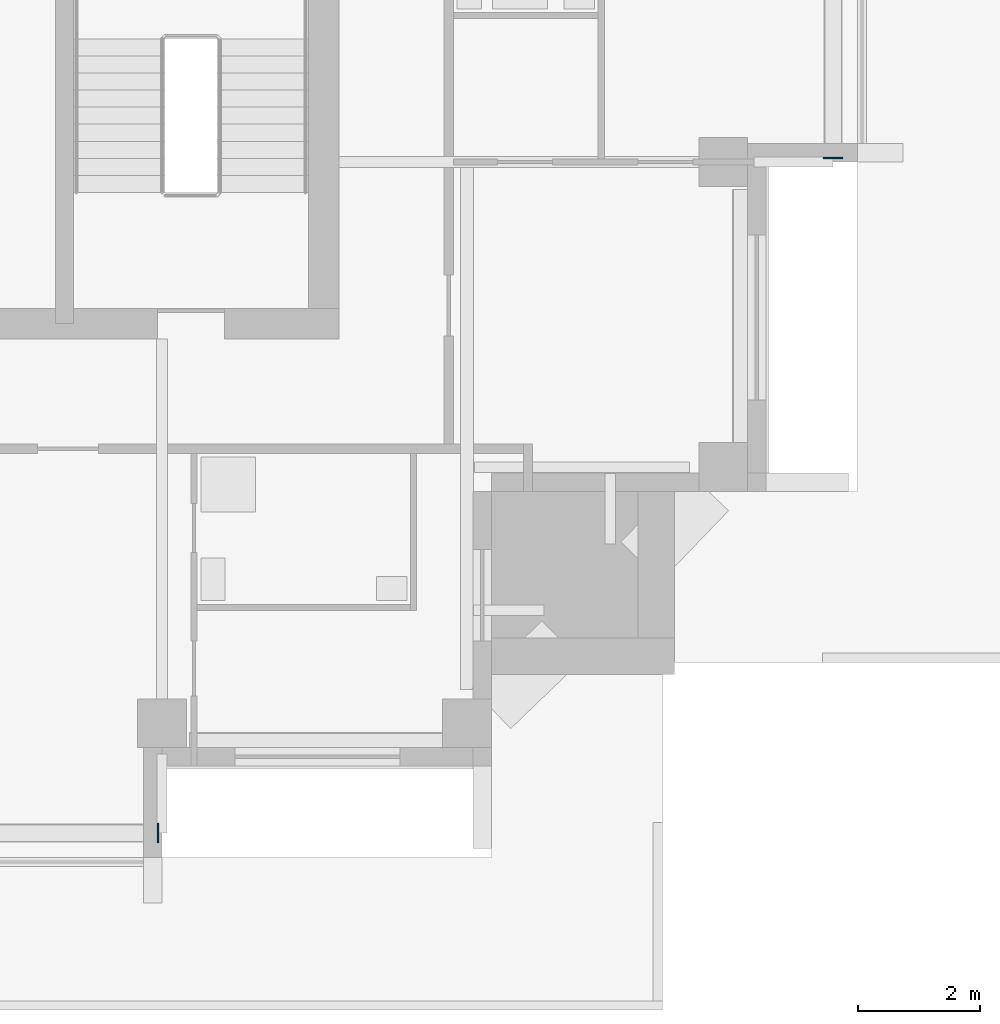
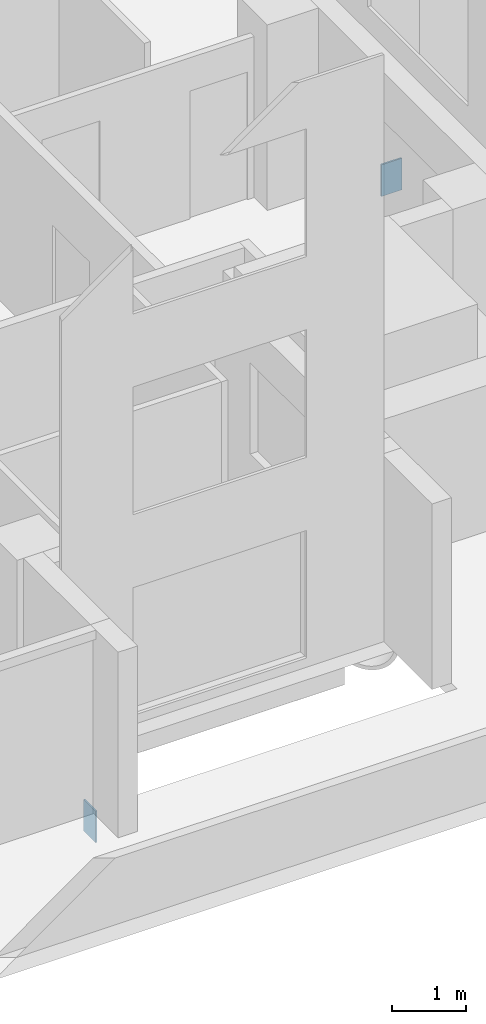
# One storey, part 9 of 11: 2 discrete accessories.
"""IFC4 building model written with IfcOpenShell, lengths in metres."""

from ifc_helpers import new_model, si_unit, direction, frame, origin, origin_2d, place, context, subcontext, project, spatial, rectangle, extrude, element, save


model = new_model("IFC4")

# Units and contexts
model_context = context("Model", 3, precision=1e-05, world=origin(), true_north=direction((0.0, 1.0)))
body_context = subcontext(model_context, "Body", "Model", "MODEL_VIEW")
ifc_project = project(units=[si_unit("LENGTHUNIT", "METRE"), si_unit("AREAUNIT", "SQUARE_METRE"), si_unit("VOLUMEUNIT", "CUBIC_METRE"), si_unit("PLANEANGLEUNIT", "RADIAN"), si_unit("MASSUNIT", "GRAM", prefix="KILO")], contexts=[model_context])

# Site, building, storey
site_placement = place(None, origin())
site = spatial("IfcSite", under=ifc_project, at=site_placement, CompositionType="ELEMENT")
building_placement = place(site_placement, origin())
building = spatial("IfcBuilding", under=site, at=building_placement, Name="Amberfall Residences", CompositionType="ELEMENT")
storey_placement = place(building_placement, frame((0.0, 0.0, 238.89990234375)))
storey = spatial("IfcBuildingStorey", under=building, at=storey_placement, Name="L63", CompositionType="ELEMENT", Elevation=238.89990234375)

# Discrete accessories
for number, where, z_axis, x_axis, name in (
    (1, (83.532470703125, 25.39990234375, -0.760009765625), (0.0, 0.0, 1.0), (1.0, 0.0, 0.0), "End cap plate L63"),
    (2, (94.60009765625, 36.467529296875, -0.760009765625), (0.0, 0.0, 1.0), (0.0, -1.0, 0.0), "End cap plate L63"),
):
    element("IfcDiscreteAccessory", number, at=place(storey_placement, frame(where, z_axis=z_axis, x_axis=x_axis)), inside=storey, Name=name, PredefinedType="BRACKET", context=body_context, shape_type="SweptSolid", body=[
        extrude(rectangle(XDim=0.02490234375, YDim=0.320068359375, at=origin_2d()), origin(), (0.0, 0.0, 1.0), 0.52001953125),
    ])

save(model, "model.ifc")
